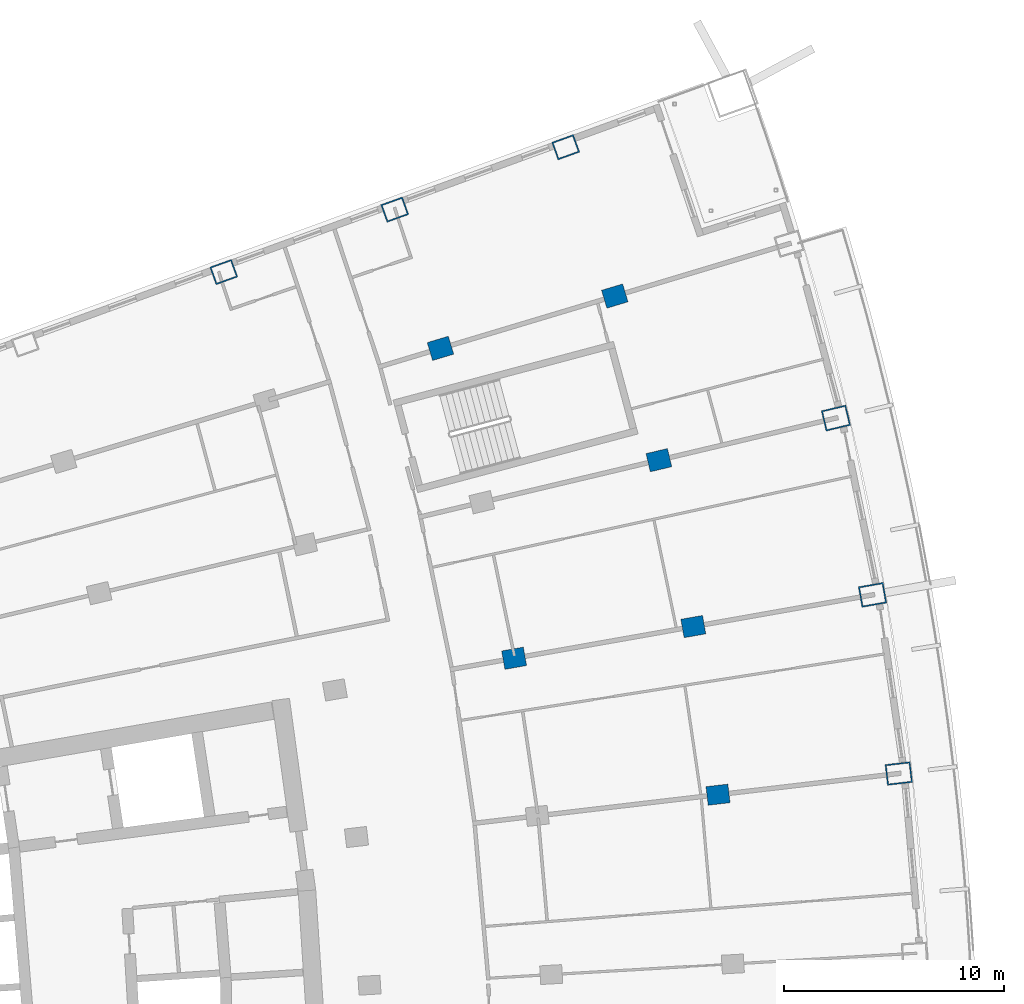
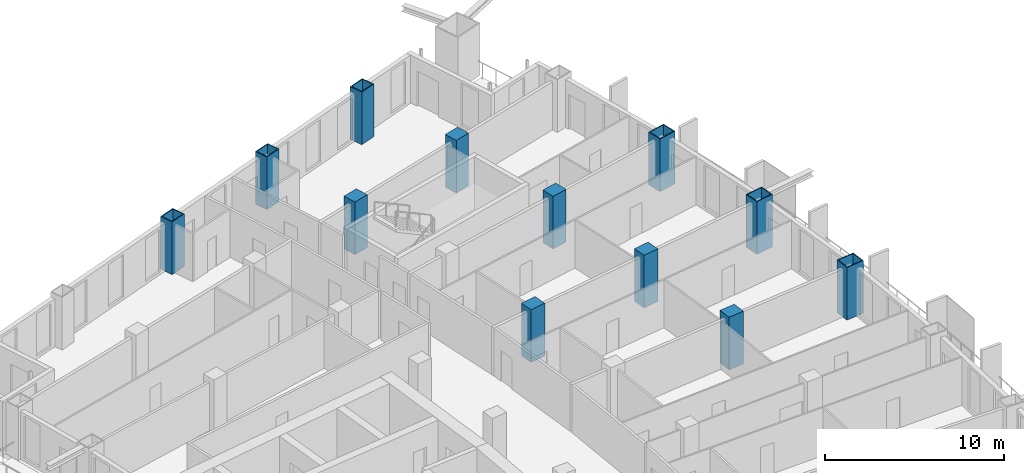
# One storey, part 10 of 25: 12 columns.
"""IFC4 building model written with IfcOpenShell, lengths in metres."""

from ifc_helpers import new_model, si_unit, direction, frame, origin, origin_2d, place, context, subcontext, project, spatial, rectangle, hollow_rectangle, extrude, material, material_profile, profile_set, type_object, element, save


model = new_model("IFC4")

# Units and contexts
model_context = context("Model", 3, precision=1e-05, world=origin(), true_north=direction((0.0, 1.0)))
body_context = subcontext(model_context, "Body", "Model", "MODEL_VIEW")
ifc_project = project(units=[si_unit("LENGTHUNIT", "METRE"), si_unit("AREAUNIT", "SQUARE_METRE"), si_unit("VOLUMEUNIT", "CUBIC_METRE"), si_unit("PLANEANGLEUNIT", "RADIAN"), si_unit("MASSUNIT", "GRAM", prefix="KILO")], contexts=[model_context])

# Site, building, storey
site_placement = place(None, origin())
site = spatial("IfcSite", under=ifc_project, at=site_placement, CompositionType="ELEMENT")
building_placement = place(site_placement, origin())
building = spatial("IfcBuilding", under=site, at=building_placement, Name="Alderwake Tower", CompositionType="ELEMENT")
storey_placement = place(building_placement, frame((0.0, 0.0, 122.0)))
storey = spatial("IfcBuildingStorey", under=building, at=storey_placement, Name="L30", CompositionType="ELEMENT", Elevation=122.0)

# Columns
ifc_material_1 = material(Name="Steel ASTM A572 Grade 50 concrete filled C70/85", Category="concrete")
ifc_material_profile_1 = material_profile(ifc_material_1, hollow_rectangle(XDim=0.85009765625, YDim=1.050048828125, WallThickness=0.06005859375, at=origin_2d()), Name="BOX 1050X850X60")
ifc_profile_set_1 = profile_set([ifc_material_profile_1], Name="Steel ASTM A572 Grade 50 concrete filled C70/85")
column_type_1 = type_object("IfcColumnType", Name="End column Z2", PredefinedType="COLUMN", material=ifc_profile_set_1)
for number, where, z_axis, x_axis, name in (
    (1, (28.983642578125, 100.143310546875, 0.0), (0.0, 0.0, 1.0), (-0.338026774049, 0.941136493834, 0.0), "Column R13-C2"),
    (2, (36.749267578125, 102.97802734375, 0.0), (0.0, 0.0, 1.0), (-0.338351987283, 0.941019623973, 0.0), "Column R13-C3"),
    (3, (44.514892578125, 105.812744140625, 0.0), (0.0, 0.0, 1.0), (-0.338634462954, 0.940918009446, 0.0), "Column R13-C4"),
):
    element("IfcColumn", number, at=place(storey_placement, frame(where, z_axis=z_axis, x_axis=x_axis)), inside=storey, type_object=column_type_1, Name=name, PredefinedType="COLUMN", context=body_context, shape_type="SweptSolid", body=[
        extrude(hollow_rectangle(XDim=0.85009765625, YDim=1.050048828125, WallThickness=0.06005859375, at=origin_2d()), origin(), (0.0, 0.0, 1.0), 3.60009765625),
    ])
ifc_material_2 = material(Name="Concrete C70/85", Category="concrete")
ifc_material_profile_2 = material_profile(ifc_material_2, rectangle(XDim=0.85009765625, YDim=1.0, at=origin_2d()), Name="RC 1000X850")
ifc_profile_set_2 = profile_set([ifc_material_profile_2], Name="Concrete C70/85")
column_type_2 = type_object("IfcColumnType", Name="Interior column Z2", PredefinedType="COLUMN", material=ifc_profile_set_2)
for number, where, z_axis, x_axis, name in (
    (4, (51.43359375, 76.40380859375, 0.0), (0.0, 0.0, 1.0), (-0.116402054316, 0.993202175668, 0.0), "Column R09-C4"),
    (5, (42.171875, 82.60107421875, 0.0), (0.0, 0.0, 1.0), (-0.174107082075, 0.984726725529, 0.0), "Column R10-C3"),
    (6, (50.31201171875, 84.040283203125, 0.0), (0.0, 0.0, 1.0), (-0.174108800747, 0.984726421654, 0.0), "Column R10-C4"),
    (7, (48.747314453125, 91.598388671875, 0.0), (0.0, 0.0, 1.0), (-0.231221547198, 0.972901123502, 0.0), "Column R11-C4"),
    (8, (38.826904296875, 96.67529296875, 0.0), (0.0, 0.0, 1.0), (-0.287547746508, 0.957766304209, 0.0), "Column R12-C3"),
    (9, (46.744384765625, 99.05224609375, 0.0), (0.0, 0.0, 1.0), (-0.287549418125, 0.957765802342, 0.0), "Column R12-C4"),
):
    element("IfcColumn", number, at=place(storey_placement, frame(where, z_axis=z_axis, x_axis=x_axis)), inside=storey, type_object=column_type_2, Name=name, PredefinedType="COLUMN", context=body_context, shape_type="SweptSolid", body=[
        extrude(rectangle(XDim=0.85009765625, YDim=1.0, at=origin_2d()), origin(), (0.0, 0.0, 1.0), 3.60009765625),
    ])
ifc_material_3 = material(Name="Steel ASTM A572 Grade 50 concrete filled C70/85", Category="concrete")
ifc_material_profile_3 = material_profile(ifc_material_3, hollow_rectangle(XDim=0.949951171875, YDim=1.14990234375, WallThickness=0.06005859375, at=origin_2d()), Name="BOX 1150X950X60")
ifc_profile_set_3 = profile_set([ifc_material_profile_3], Name="Steel ASTM A572 Grade 50 concrete filled C70/85")
column_type_3 = type_object("IfcColumnType", Name="Perimeter column Z2", PredefinedType="COLUMN", material=ifc_profile_set_3)
for number, where, z_axis, x_axis, name in (
    (10, (59.644287109375, 77.3662109375, 0.0), (0.0, 0.0, 1.0), (-0.116402054316, 0.993202175668, 0.0), "Column R09-C5"),
    (11, (58.45263671875, 85.4794921875, 0.0), (0.0, 0.0, 1.0), (-0.174108800747, 0.984726421654, 0.0), "Column R10-C5"),
    (12, (56.789794921875, 93.509765625, 0.0), (0.0, 0.0, 1.0), (-0.231221547198, 0.972901123502, 0.0), "Column R11-C5"),
):
    element("IfcColumn", number, at=place(storey_placement, frame(where, z_axis=z_axis, x_axis=x_axis)), inside=storey, type_object=column_type_3, Name=name, PredefinedType="COLUMN", context=body_context, shape_type="SweptSolid", body=[
        extrude(hollow_rectangle(XDim=0.949951171875, YDim=1.14990234375, WallThickness=0.06005859375, at=origin_2d()), origin(), (0.0, 0.0, 1.0), 3.60009765625),
    ])

save(model, "model.ifc")
